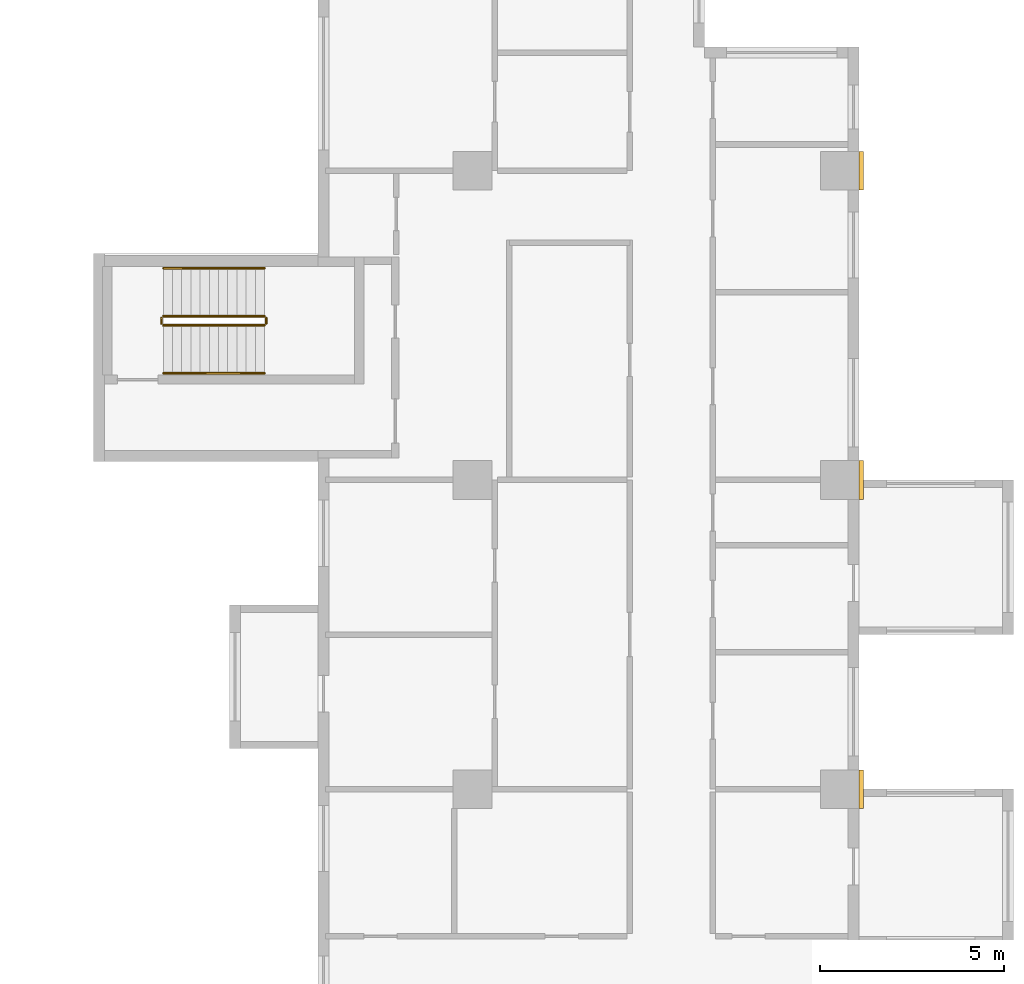
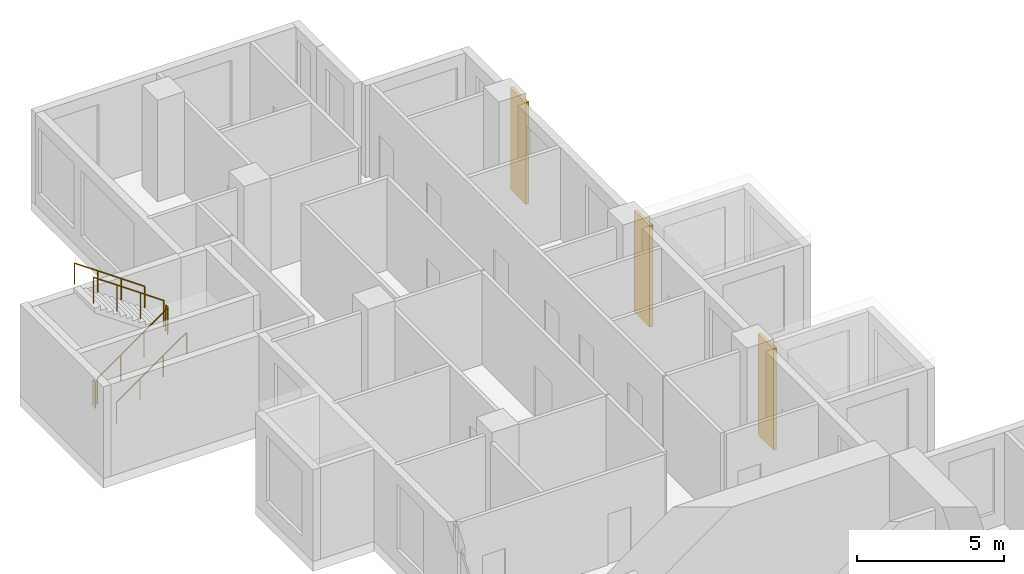
# One storey, part 13 of 14: 6 railings, 3 coverings.
"""IFC4 building model written with IfcOpenShell, lengths in metres."""

from ifc_helpers import new_model, si_unit, direction, frame, origin, origin_2d, place, context, subcontext, project, spatial, rectangle, circle, extrude, source, transform, mapped, material, type_object, element, save


model = new_model("IFC4")

# Units and contexts
model_context = context("Model", 3, precision=1e-05, world=origin(), true_north=direction((0.0, 1.0)))
body_context = subcontext(model_context, "Body", "Model", "MODEL_VIEW")
ifc_project = project(units=[si_unit("LENGTHUNIT", "METRE"), si_unit("AREAUNIT", "SQUARE_METRE"), si_unit("VOLUMEUNIT", "CUBIC_METRE"), si_unit("PLANEANGLEUNIT", "RADIAN"), si_unit("MASSUNIT", "GRAM", prefix="KILO")], contexts=[model_context])

# Site, building, storey
site_placement = place(None, origin())
site = spatial("IfcSite", under=ifc_project, at=site_placement, CompositionType="ELEMENT")
building_placement = place(site_placement, origin())
building = spatial("IfcBuilding", under=site, at=building_placement, Name="Aurelian Terraces", CompositionType="ELEMENT")
storey_placement = place(building_placement, frame((0.0, 0.0, 111.9)))
storey = spatial("IfcBuildingStorey", under=building, at=storey_placement, Name="L24", CompositionType="ELEMENT", Elevation=111.9)

# Coverings
ifc_material_1 = material(Name="Terracotta rainscreen cladding relief", Category="masonry")
covering_type = type_object("IfcCoveringType", Name="BAGUETTE-TC", PredefinedType="CLADDING", material=ifc_material_1)
shared_shape_1 = source(origin(), body_context, "Body", "SweptSolid", [
    extrude(rectangle(XDim=0.12, YDim=1.05, at=origin_2d()), origin(), (0.0, 0.0, 1.0), 4.2),
])
for number, where, z_axis, x_axis, name in (
    (1, (21.06, 29.4, -0.4), (0.0, 0.0, 1.0), (1.0, 0.0, 0.0), "BAGUETTE pier L24 10"),
    (2, (21.06, 37.8, -0.4), (0.0, 0.0, 1.0), (1.0, 0.0, 0.0), "BAGUETTE pier L24 11"),
    (3, (21.06, 46.2, -0.4), (0.0, 0.0, 1.0), (1.0, 0.0, 0.0), "BAGUETTE pier L24 12"),
):
    element("IfcCovering", number, at=place(storey_placement, frame(where, z_axis=z_axis, x_axis=x_axis)), inside=storey, type_object=covering_type, Name=name, PredefinedType="CLADDING", context=body_context, shape_type="MappedRepresentation", body=[
        mapped(shared_shape_1, transform((0.0, 0.0, 0.0), scale=1.0)),
    ])

# Railings
ifc_material_2 = material(Name="Stainless steel", Category="steel")
railing_type_1 = type_object("IfcRailingType", Name="Stair guard 1100", PredefinedType="GUARDRAIL", material=ifc_material_2)
shared_shape_2 = source(origin(), body_context, "Body", "SweptSolid", [
    extrude(circle(Radius=0.024, at=origin_2d()), frame((0.0, 0.0, 1.076), z_axis=(0.0, 1.0, 0.0), x_axis=(-1.0, 0.0, 0.0)), (0.0, 0.0, 1.0), 0.15),
    extrude(circle(Radius=0.021, at=origin_2d()), origin(), (0.0, 0.0, 1.0), 1.052),
    extrude(circle(Radius=0.021, at=origin_2d()), frame((0.0, 0.15, 0.0)), (0.0, 0.0, 1.0), 1.052),
])
for number, where, name in (
    (4, (4.9, 42.05, 2.1), "L24 S3 stair guard 2"),
    (5, (2.05, 42.05, 0.0), "L24 S3 stair guard 4"),
):
    element("IfcRailing", number, at=place(storey_placement, frame(where)), inside=storey, type_object=railing_type_1, Name=name, PredefinedType="GUARDRAIL", context=body_context, shape_type="MappedRepresentation", body=[
        mapped(shared_shape_2, transform((0.0, 0.0, 0.0), scale=1.0)),
    ])
shared_shape_3 = source(origin(), body_context, "Body", "SweptSolid", [
    extrude(circle(Radius=0.024, at=origin_2d()), frame((0.0, 0.0, 1.076), z_axis=(0.819231920519, 0.0, 0.573462344363), x_axis=(0.0, 1.0, 0.0)), (0.0, 0.0, 1.0), 3.3568),
    extrude(circle(Radius=0.021, at=origin_2d()), origin(), (0.0, 0.0, 1.0), 1.052),
    extrude(circle(Radius=0.021, at=origin_2d()), frame((0.9167, 0.0, 0.6417)), (0.0, 0.0, 1.0), 1.052),
    extrude(circle(Radius=0.021, at=origin_2d()), frame((1.8333, 0.0, 1.2833)), (0.0, 0.0, 1.0), 1.052),
    extrude(circle(Radius=0.021, at=origin_2d()), frame((2.75, 0.0, 1.925)), (0.0, 0.0, 1.0), 1.052),
])
railing_1_placement = place(storey_placement, frame((2.1, 42.0, 0.175)))
element("IfcRailing", 6, at=railing_1_placement, inside=storey, type_object=railing_type_1, Name="L24 S3 stair guard 1", PredefinedType="GUARDRAIL", context=body_context, shape_type="MappedRepresentation", body=[
    mapped(shared_shape_3, transform((0.0, 0.0, 0.0), scale=1.0)),
])
shared_shape_4 = source(origin(), body_context, "Body", "SweptSolid", [
    extrude(circle(Radius=0.024, at=origin_2d()), frame((0.0, 0.0, 1.076), z_axis=(-0.819231920519, 0.0, 0.573462344363), x_axis=(0.0, -1.0, 0.0)), (0.0, 0.0, 1.0), 3.3568),
    extrude(circle(Radius=0.021, at=origin_2d()), origin(), (0.0, 0.0, 1.0), 1.052),
    extrude(circle(Radius=0.021, at=origin_2d()), frame((-0.9167, 0.0, 0.6417)), (0.0, 0.0, 1.0), 1.052),
    extrude(circle(Radius=0.021, at=origin_2d()), frame((-1.8333, 0.0, 1.2833)), (0.0, 0.0, 1.0), 1.052),
    extrude(circle(Radius=0.021, at=origin_2d()), frame((-2.75, 0.0, 1.925)), (0.0, 0.0, 1.0), 1.052),
])
railing_2_placement = place(storey_placement, frame((4.85, 42.25, 2.275)))
element("IfcRailing", 7, at=railing_2_placement, inside=storey, type_object=railing_type_1, Name="L24 S3 stair guard 3", PredefinedType="GUARDRAIL", context=body_context, shape_type="MappedRepresentation", body=[
    mapped(shared_shape_4, transform((0.0, 0.0, 0.0), scale=1.0)),
])
railing_type_2 = type_object("IfcRailingType", Name="Stair handrail", PredefinedType="HANDRAIL", material=ifc_material_2)
shared_shape_5 = source(origin(), body_context, "Body", "SweptSolid", [
    extrude(circle(Radius=0.024, at=origin_2d()), frame((0.0, 0.0, 0.876), z_axis=(0.819231920519, 0.0, 0.573462344363), x_axis=(0.0, 1.0, 0.0)), (0.0, 0.0, 1.0), 3.3568),
    extrude(circle(Radius=0.021, at=origin_2d()), origin(), (0.0, 0.0, 1.0), 0.852),
    extrude(circle(Radius=0.021, at=origin_2d()), frame((0.9167, 0.0, 0.6417)), (0.0, 0.0, 1.0), 0.852),
    extrude(circle(Radius=0.021, at=origin_2d()), frame((1.8333, 0.0, 1.2833)), (0.0, 0.0, 1.0), 0.852),
    extrude(circle(Radius=0.021, at=origin_2d()), frame((2.75, 0.0, 1.925)), (0.0, 0.0, 1.0), 0.852),
])
railing_3_placement = place(storey_placement, frame((2.1, 40.7, 0.175)))
element("IfcRailing", 8, at=railing_3_placement, inside=storey, type_object=railing_type_2, Name="L24 S3 stair handrail 1", PredefinedType="HANDRAIL", context=body_context, shape_type="MappedRepresentation", body=[
    mapped(shared_shape_5, transform((0.0, 0.0, 0.0), scale=1.0)),
])
shared_shape_6 = source(origin(), body_context, "Body", "SweptSolid", [
    extrude(circle(Radius=0.024, at=origin_2d()), frame((0.0, 0.0, 0.876), z_axis=(-0.819231920519, 0.0, 0.573462344363), x_axis=(0.0, -1.0, 0.0)), (0.0, 0.0, 1.0), 3.3568),
    extrude(circle(Radius=0.021, at=origin_2d()), origin(), (0.0, 0.0, 1.0), 0.852),
    extrude(circle(Radius=0.021, at=origin_2d()), frame((-0.9167, 0.0, 0.6417)), (0.0, 0.0, 1.0), 0.852),
    extrude(circle(Radius=0.021, at=origin_2d()), frame((-1.8333, 0.0, 1.2833)), (0.0, 0.0, 1.0), 0.852),
    extrude(circle(Radius=0.021, at=origin_2d()), frame((-2.75, 0.0, 1.925)), (0.0, 0.0, 1.0), 0.852),
])
railing_4_placement = place(storey_placement, frame((4.85, 43.55, 2.275)))
element("IfcRailing", 9, at=railing_4_placement, inside=storey, type_object=railing_type_2, Name="L24 S3 stair handrail 2", PredefinedType="HANDRAIL", context=body_context, shape_type="MappedRepresentation", body=[
    mapped(shared_shape_6, transform((0.0, 0.0, 0.0), scale=1.0)),
])

save(model, "model.ifc")
